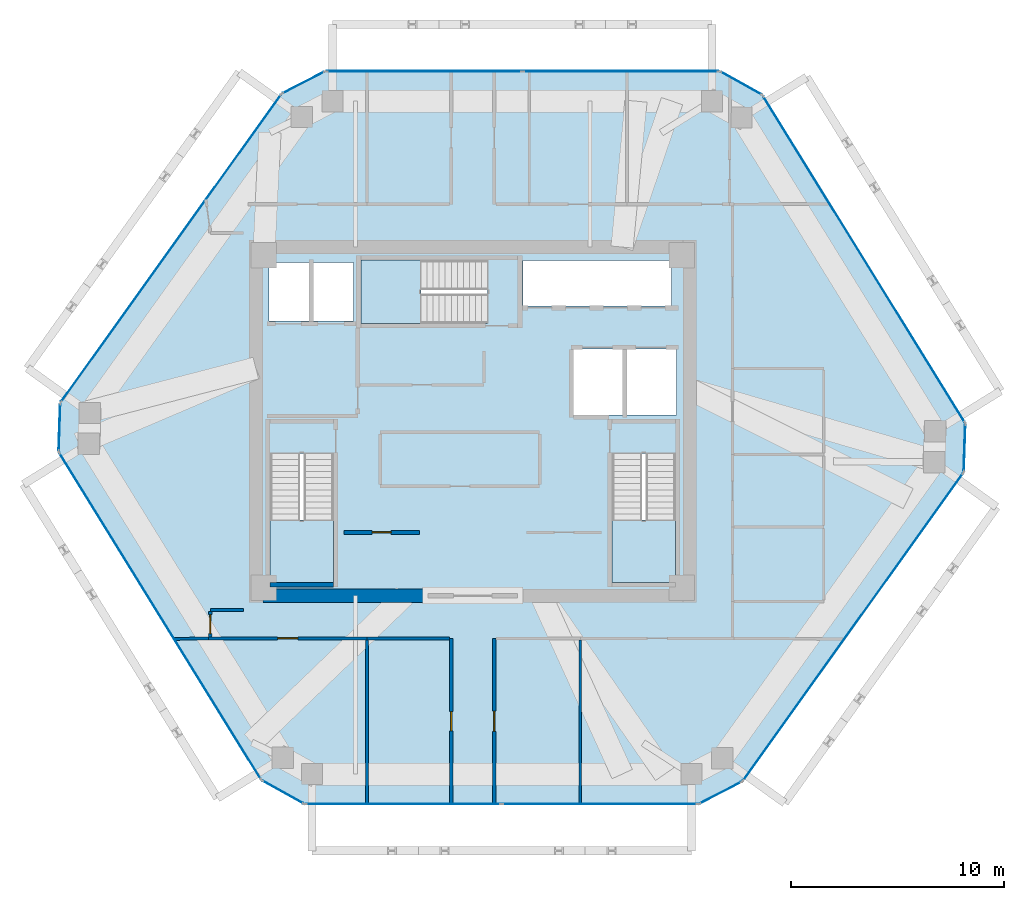
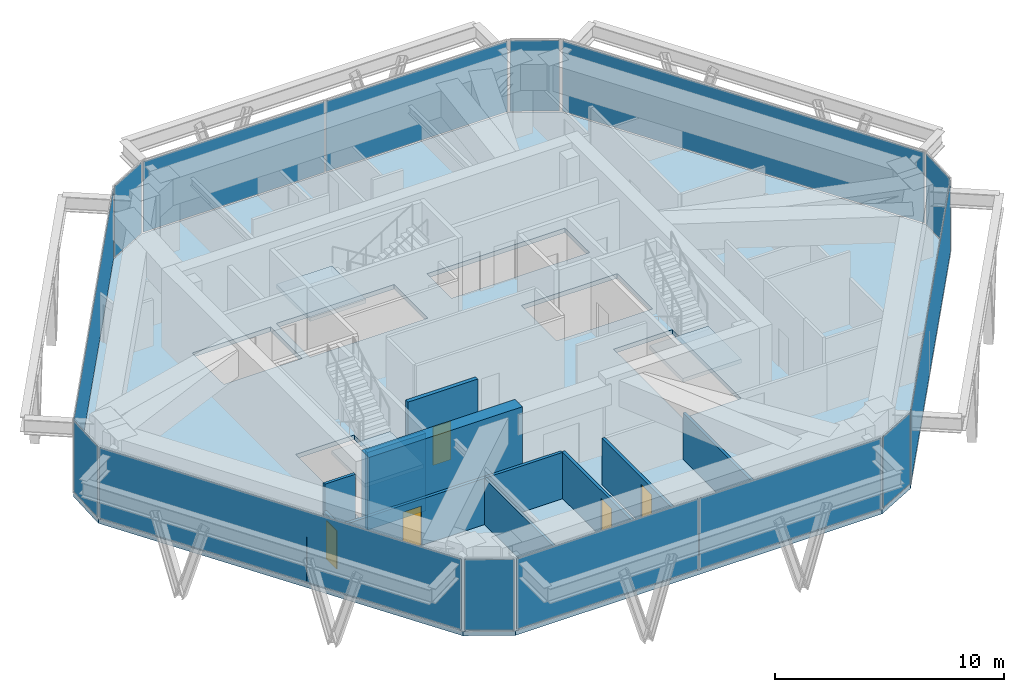
# One storey, part 7 of 11: 14 plates, 12 walls, 5 doors, 4 slabs, 5 openings, 15 elements without a shape of their own.
"""IFC4 building model written with IfcOpenShell, lengths in metres."""

from ifc_helpers import new_model, si_unit, direction, frame, frame_2d, origin, origin_2d, place, context, subcontext, project, spatial, polyline, rectangle, outline, extrude, source, transform, mapped, material, layer, layer_set, type_object, type_shapes, element, fill, aggregate, save


model = new_model("IFC4")

# Units and contexts
model_context = context("Model", 3, precision=1e-05, world=origin(), true_north=direction((0.0, 1.0)))
body_context = subcontext(model_context, "Body", "Model", "MODEL_VIEW")
ifc_project = project(units=[si_unit("LENGTHUNIT", "METRE"), si_unit("AREAUNIT", "SQUARE_METRE"), si_unit("VOLUMEUNIT", "CUBIC_METRE"), si_unit("PLANEANGLEUNIT", "RADIAN"), si_unit("MASSUNIT", "GRAM", prefix="KILO")], contexts=[model_context])

# Site, building, storey
site_placement = place(None, origin())
site = spatial("IfcSite", under=ifc_project, at=site_placement, CompositionType="ELEMENT")
building_placement = place(site_placement, origin())
building = spatial("IfcBuilding", under=site, at=building_placement, Name="Durnholm Broadcast Tower", CompositionType="ELEMENT")
storey_placement = place(building_placement, frame((0.0, 0.0, 209.199951171875)))
storey = spatial("IfcBuildingStorey", under=building, at=storey_placement, Name="L58", CompositionType="ELEMENT", Elevation=209.199951171875)

# Slab
ifc_material_1 = material(Name="Concrete C50/60", Category="concrete")
ifc_layer_1 = layer(ifc_material_1, 0.239990234375)
ifc_layer_set_1 = layer_set([ifc_layer_1], Name="Concrete C50/60")
slab_type_1 = type_object("IfcSlabType", Name="SLAB-FLR-240", PredefinedType="FLOOR", material=ifc_layer_set_1)
slab_1_placement = place(storey_placement, frame((0.0, 0.0, -0.239990234375)))
element("IfcSlab", 1, at=slab_1_placement, inside=storey, type_object=slab_type_1, Name="L58 structural floor slab", PredefinedType="FLOOR", context=body_context, shape_type="SweptSolid", body=[
    extrude(outline(polyline([(-9.912353515625, -16.822021484375), (-7.9033203125, -17.94189453125), (10.59521484375, -17.94189453125), (12.64111328125, -16.890625), (23.022705078125, -2.390380859375), (23.1005859375, -0.091552734375), (13.59033203125, 15.2978515625), (11.581298828125, 16.41796875), (-6.917236328125, 16.41796875), (-8.962890625, 15.36669921875), (-19.3447265625, 0.8662109375), (-19.422607421875, -1.432373046875), (-9.912353515625, -16.822021484375)]), holes=[polyline([(-6.5400390625, -1.5), (-9.5, -1.5), (-9.5, -7.550048828125), (-6.5400390625, -7.550048828125), (-6.5400390625, -1.5)]), polyline([(9.5, -7.550048828125), (9.5, -1.5), (6.5400390625, -1.5), (6.5400390625, -7.550048828125), (9.5, -7.550048828125)]), polyline([(9.550048828125, 3.39990234375), (4.699951171875, 3.39990234375), (4.699951171875, 0.300048828125), (9.550048828125, 0.300048828125), (9.550048828125, 3.39990234375)]), polyline([(-9.550048828125, 7.449951171875), (-9.550048828125, 4.699951171875), (-5.60009765625, 4.699951171875), (-5.60009765625, 7.449951171875), (-9.550048828125, 7.449951171875)]), polyline([(-5.25, 4.60009765625), (0.699951171875, 4.60009765625), (0.699951171875, 7.56005859375), (-5.25, 7.56005859375), (-5.25, 4.60009765625)]), polyline([(9.31005859375, 7.550048828125), (2.35009765625, 7.550048828125), (2.35009765625, 5.39990234375), (9.31005859375, 5.39990234375), (9.31005859375, 7.550048828125)])]), origin(), (0.0, 0.0, 1.0), 0.239990234375),
])

# Stair, slab
stair_type = type_object("IfcStairType", Name="STAIR-DL-24R1750", PredefinedType="HALF_TURN_STAIR", material=ifc_material_1)
stair_1_placement = place(storey_placement, origin())
stair_1 = element("IfcStair", 2, at=stair_1_placement, inside=storey, type_object=stair_type, Name="L58 ST-1", PredefinedType="HALF_TURN_STAIR")
ifc_layer_2 = layer(ifc_material_1, 0.199951171875)
ifc_layer_set_2 = layer_set([ifc_layer_2], Name="Concrete C50/60")
slab_type_2 = type_object("IfcSlabType", Name="SLAB-LND-200", PredefinedType="LANDING", material=ifc_layer_set_2)
slab_2_placement = place(storey_placement, frame((0.0, 0.0, 1.900146484375)))
slab_2 = element("IfcSlab", 3, at=slab_2_placement, type_object=slab_type_2, Name="ST-1 landing 1", PredefinedType="LANDING", context=body_context, shape_type="SweptSolid", body=[
    extrude(outline(polyline([(-9.5, -4.635009765625), (-9.5, -7.550048828125), (-6.5400390625, -7.550048828125), (-6.5400390625, -4.635009765625), (-9.5, -4.635009765625)])), origin(), (0.0, 0.0, 1.0), 0.199951171875),
])
aggregate(stair_1, [slab_2])

stair_2_placement = place(storey_placement, origin())
stair_2 = element("IfcStair", 4, at=stair_2_placement, inside=storey, type_object=stair_type, Name="L58 ST-2", PredefinedType="HALF_TURN_STAIR")
slab_3_placement = place(storey_placement, frame((0.0, 0.0, 1.900146484375)))
slab_3 = element("IfcSlab", 5, at=slab_3_placement, type_object=slab_type_2, Name="ST-2 landing 1", PredefinedType="LANDING", context=body_context, shape_type="SweptSolid", body=[
    extrude(outline(polyline([(6.5400390625, -4.635009765625), (6.5400390625, -7.550048828125), (9.5, -7.550048828125), (9.5, -4.635009765625), (6.5400390625, -4.635009765625)])), origin(), (0.0, 0.0, 1.0), 0.199951171875),
])
aggregate(stair_2, [slab_3])

stair_3_placement = place(storey_placement, origin())
stair_3 = element("IfcStair", 6, at=stair_3_placement, inside=storey, type_object=stair_type, Name="L58 ST-3", PredefinedType="HALF_TURN_STAIR")
slab_4_placement = place(storey_placement, frame((0.0, 0.0, 1.900146484375)))
slab_4 = element("IfcSlab", 7, at=slab_4_placement, type_object=slab_type_2, Name="ST-3 landing 1", PredefinedType="LANDING", context=body_context, shape_type="SweptSolid", body=[
    extrude(outline(polyline([(-2.43505859375, 7.56005859375), (-5.25, 7.56005859375), (-5.25, 4.60009765625), (-2.43505859375, 4.60009765625), (-2.43505859375, 7.56005859375)])), origin(), (0.0, 0.0, 1.0), 0.199951171875),
])
aggregate(stair_3, [slab_4])

# Curtain wall, plate
ifc_material_2 = material(Name="Aluminium and Solar Control IGU", Category="aluminium")
ifc_layer_3 = layer(ifc_material_2, 0.1650390625)
ifc_layer_set_3 = layer_set([ifc_layer_3], Name="Aluminium and Solar Control IGU")
curtain_wall_type_1 = type_object("IfcCurtainWallType", Name="CW-SYS-5", PredefinedType="NOTDEFINED", material=ifc_layer_set_3)
curtain_wall_1_placement = place(storey_placement, origin())
curtain_wall_1 = element("IfcCurtainWall", 8, at=curtain_wall_1_placement, inside=storey, type_object=curtain_wall_type_1, Name="L58 curtain wall CW-CORNER CW-L58-CRN-01", PredefinedType="NOTDEFINED")
ifc_material_3 = material(Name="Low-E Laminated Insulating Glass", Category="glass")
ifc_layer_4 = layer(ifc_material_3, 0.030029296875)
ifc_layer_set_4 = layer_set([ifc_layer_4], Name="Low-E Laminated Insulating Glass")
plate_type_1 = type_object("IfcPlateType", Name="CW-SYS-5-PNL", PredefinedType="CURTAIN_PANEL", material=ifc_layer_set_4)
shared_shape_1 = source(origin(), body_context, "Body", "SweptSolid", [
    extrude(rectangle(XDim=2.169921875, YDim=0.030029296875, at=origin_2d()), origin(), (0.0, 0.0, 1.0), 3.77001953125),
])
plate_1_placement = place(storey_placement, frame((-19.3837890625, -0.282958984375, 0.06494140625), z_axis=(0.0, 0.0, 1.0), x_axis=(0.033912704699, 0.999424798802, 0.0)))
plate_1 = element("IfcPlate", 9, at=plate_1_placement, type_object=plate_type_1, Name="CW-CORNER panel 1.1", PredefinedType="CURTAIN_PANEL", context=body_context, shape_type="MappedRepresentation", body=[
    mapped(shared_shape_1, transform((0.0, 0.0, 0.0), x_axis=(1.0, 0.0, 0.0), y_axis=(0.0, 1.0, 0.0), z_axis=(0.0, 0.0, 1.0), scale=1.0)),
])
aggregate(curtain_wall_1, [plate_1])

curtain_wall_2_placement = place(storey_placement, origin())
curtain_wall_2 = element("IfcCurtainWall", 10, at=curtain_wall_2_placement, inside=storey, type_object=curtain_wall_type_1, Name="L58 curtain wall CW-CORNER CW-L58-CRN-03", PredefinedType="NOTDEFINED")
plate_2_placement = place(storey_placement, frame((-7.940185546875, 15.892333984375, 0.06494140625), z_axis=(0.0, 0.0, 1.0), x_axis=(0.889424679545, 0.457081764476, 0.0)))
plate_2 = element("IfcPlate", 11, at=plate_2_placement, type_object=plate_type_1, Name="CW-CORNER panel 1.1", PredefinedType="CURTAIN_PANEL", context=body_context, shape_type="MappedRepresentation", body=[
    mapped(shared_shape_1, transform((0.0, 0.0, 0.0), x_axis=(1.0, 0.0, 0.0), y_axis=(0.0, 1.0, 0.0), z_axis=(0.0, 0.0, 1.0), scale=1.0)),
])
aggregate(curtain_wall_2, [plate_2])

curtain_wall_3_placement = place(storey_placement, origin())
curtain_wall_3 = element("IfcCurtainWall", 12, at=curtain_wall_3_placement, inside=storey, type_object=curtain_wall_type_1, Name="L58 curtain wall CW-CORNER CW-L58-CRN-07", PredefinedType="NOTDEFINED")
plate_3_placement = place(storey_placement, frame((23.061767578125, -1.240966796875, 0.06494140625), z_axis=(0.0, 0.0, 1.0), x_axis=(-0.033912704699, -0.999424798802, 0.0)))
plate_3 = element("IfcPlate", 13, at=plate_3_placement, type_object=plate_type_1, Name="CW-CORNER panel 1.1", PredefinedType="CURTAIN_PANEL", context=body_context, shape_type="MappedRepresentation", body=[
    mapped(shared_shape_1, transform((0.0, 0.0, 0.0), x_axis=(1.0, 0.0, 0.0), y_axis=(0.0, 1.0, 0.0), z_axis=(0.0, 0.0, 1.0), scale=1.0)),
])
aggregate(curtain_wall_3, [plate_3])

curtain_wall_4_placement = place(storey_placement, origin())
curtain_wall_4 = element("IfcCurtainWall", 14, at=curtain_wall_4_placement, inside=storey, type_object=curtain_wall_type_1, Name="L58 curtain wall CW-CORNER CW-L58-CRN-09", PredefinedType="NOTDEFINED")
plate_4_placement = place(storey_placement, frame((11.6181640625, -17.416259765625, 0.06494140625), z_axis=(0.0, 0.0, 1.0), x_axis=(-0.889424679545, -0.457081764476, 0.0)))
plate_4 = element("IfcPlate", 15, at=plate_4_placement, type_object=plate_type_1, Name="CW-CORNER panel 1.1", PredefinedType="CURTAIN_PANEL", context=body_context, shape_type="MappedRepresentation", body=[
    mapped(shared_shape_1, transform((0.0, 0.0, 0.0), x_axis=(1.0, 0.0, 0.0), y_axis=(0.0, 1.0, 0.0), z_axis=(0.0, 0.0, 1.0), scale=1.0)),
])
aggregate(curtain_wall_4, [plate_4])

ifc_layer_5 = layer(ifc_material_2, 0.18994140625)
ifc_layer_set_5 = layer_set([ifc_layer_5], Name="Aluminium and Solar Control IGU")
curtain_wall_type_2 = type_object("IfcCurtainWallType", Name="CW-SYS-4", PredefinedType="NOTDEFINED", material=ifc_layer_set_5)
curtain_wall_5_placement = place(storey_placement, origin())
curtain_wall_5 = element("IfcCurtainWall", 16, at=curtain_wall_5_placement, inside=storey, type_object=curtain_wall_type_2, Name="L58 curtain wall CW-Z34-VIS CW-L58-F02", PredefinedType="NOTDEFINED")
ifc_layer_6 = layer(ifc_material_3, 0.033935546875)
ifc_layer_set_6 = layer_set([ifc_layer_6], Name="Low-E Laminated Insulating Glass")
plate_type_2 = type_object("IfcPlateType", Name="CW-SYS-4-PNL", PredefinedType="CURTAIN_PANEL", material=ifc_layer_set_6)
shared_shape_2 = source(origin(), body_context, "Body", "SweptSolid", [
    extrude(rectangle(XDim=17.693603515625, YDim=0.033935546875, at=origin_2d()), origin(), (0.0, 0.0, 1.0), 3.760009765625),
])
plate_5_placement = place(storey_placement, frame((-14.15380859375, 8.116455078125, 0.06982421875), z_axis=(0.0, 0.0, 1.0), x_axis=(0.582139030549, 0.813089262696, 0.0)))
plate_5 = element("IfcPlate", 17, at=plate_5_placement, type_object=plate_type_2, Name="CW-Z34-VIS panel 1.1", PredefinedType="CURTAIN_PANEL", context=body_context, shape_type="MappedRepresentation", body=[
    mapped(shared_shape_2, transform((0.0, 0.0, 0.0), x_axis=(1.0, 0.0, 0.0), y_axis=(0.0, 1.0, 0.0), z_axis=(0.0, 0.0, 1.0), scale=1.0)),
])
aggregate(curtain_wall_5, [plate_5])

curtain_wall_6_placement = place(storey_placement, origin())
curtain_wall_6 = element("IfcCurtainWall", 18, at=curtain_wall_6_placement, inside=storey, type_object=curtain_wall_type_2, Name="L58 curtain wall CW-Z34-VIS CW-L58-F08", PredefinedType="NOTDEFINED")
plate_6_placement = place(storey_placement, frame((17.831787109375, -9.640380859375, 0.06982421875), z_axis=(0.0, 0.0, 1.0), x_axis=(-0.582139030549, -0.813089262696, 0.0)))
plate_6 = element("IfcPlate", 19, at=plate_6_placement, type_object=plate_type_2, Name="CW-Z34-VIS panel 1.1", PredefinedType="CURTAIN_PANEL", context=body_context, shape_type="MappedRepresentation", body=[
    mapped(shared_shape_2, transform((0.0, 0.0, 0.0), x_axis=(1.0, 0.0, 0.0), y_axis=(0.0, 1.0, 0.0), z_axis=(0.0, 0.0, 1.0), scale=1.0)),
])
aggregate(curtain_wall_6, [plate_6])

# Curtain wall, plates
curtain_wall_7_placement = place(storey_placement, origin())
curtain_wall_7 = element("IfcCurtainWall", 20, at=curtain_wall_7_placement, inside=storey, type_object=curtain_wall_type_2, Name="L58 curtain wall CW-Z34-VIS CW-L58-F04", PredefinedType="NOTDEFINED")
shared_shape_3 = source(origin(), body_context, "Body", "SweptSolid", [
    extrude(rectangle(XDim=9.144287109375, YDim=0.033935546875, at=origin_2d()), origin(), (0.0, 0.0, 1.0), 3.760009765625),
])
plate_7_placement = place(storey_placement, frame((-2.275146484375, 16.41796875, 0.06982421875), z_axis=(0.0, 0.0, 1.0), x_axis=(1.0, 0.0, 0.0)))
plate_7 = element("IfcPlate", 21, at=plate_7_placement, type_object=plate_type_2, Name="CW-Z34-VIS panel 1.1", PredefinedType="CURTAIN_PANEL", context=body_context, shape_type="MappedRepresentation", body=[
    mapped(shared_shape_3, transform((0.0, 0.0, 0.0), x_axis=(1.0, 0.0, 0.0), y_axis=(0.0, 1.0, 0.0), z_axis=(0.0, 0.0, 1.0), scale=1.0)),
])
plate_8_placement = place(storey_placement, frame((6.939208984375, 16.41796875, 0.06982421875), z_axis=(0.0, 0.0, 1.0), x_axis=(1.0, 0.0, 0.0)))
plate_8 = element("IfcPlate", 22, at=plate_8_placement, type_object=plate_type_2, Name="CW-Z34-VIS panel 2.1", PredefinedType="CURTAIN_PANEL", context=body_context, shape_type="MappedRepresentation", body=[
    mapped(shared_shape_3, transform((0.0, 0.0, 0.0), x_axis=(1.0, 0.0, 0.0), y_axis=(0.0, 1.0, 0.0), z_axis=(0.0, 0.0, 1.0), scale=1.0)),
])
aggregate(curtain_wall_7, [plate_7, plate_8])

curtain_wall_8_placement = place(storey_placement, origin())
curtain_wall_8 = element("IfcCurtainWall", 23, at=curtain_wall_8_placement, inside=storey, type_object=curtain_wall_type_2, Name="L58 curtain wall CW-Z34-VIS CW-L58-F10", PredefinedType="NOTDEFINED")
plate_9_placement = place(storey_placement, frame((5.953125, -17.94189453125, 0.06982421875), z_axis=(0.0, 0.0, 1.0), x_axis=(-1.0, 0.0, 0.0)))
plate_9 = element("IfcPlate", 24, at=plate_9_placement, type_object=plate_type_2, Name="CW-Z34-VIS panel 1.1", PredefinedType="CURTAIN_PANEL", context=body_context, shape_type="MappedRepresentation", body=[
    mapped(shared_shape_3, transform((0.0, 0.0, 0.0), x_axis=(1.0, 0.0, 0.0), y_axis=(0.0, 1.0, 0.0), z_axis=(0.0, 0.0, 1.0), scale=1.0)),
])
plate_10_placement = place(storey_placement, frame((-3.26123046875, -17.94189453125, 0.06982421875), z_axis=(0.0, 0.0, 1.0), x_axis=(-1.0, 0.0, 0.0)))
plate_10 = element("IfcPlate", 25, at=plate_10_placement, type_object=plate_type_2, Name="CW-Z34-VIS panel 2.1", PredefinedType="CURTAIN_PANEL", context=body_context, shape_type="MappedRepresentation", body=[
    mapped(shared_shape_3, transform((0.0, 0.0, 0.0), x_axis=(1.0, 0.0, 0.0), y_axis=(0.0, 1.0, 0.0), z_axis=(0.0, 0.0, 1.0), scale=1.0)),
])
aggregate(curtain_wall_8, [plate_9, plate_10])

# Curtain wall, plate
curtain_wall_9_placement = place(storey_placement, origin())
curtain_wall_9 = element("IfcCurtainWall", 26, at=curtain_wall_9_placement, inside=storey, type_object=curtain_wall_type_1, Name="L58 curtain wall CW-CORNER CW-L58-CRN-05", PredefinedType="NOTDEFINED")
shared_shape_4 = source(origin(), body_context, "Body", "SweptSolid", [
    extrude(rectangle(XDim=2.170166015625, YDim=0.030029296875, at=origin_2d()), origin(), (0.0, 0.0, 1.0), 3.77001953125),
])
type_shapes(plate_type_1, [shared_shape_1, shared_shape_4])
plate_11_placement = place(storey_placement, frame((12.5859375, 15.85791015625, 0.06494140625), z_axis=(0.0, 0.0, 1.0), x_axis=(0.873409751271, -0.486986043316, 0.0)))
plate_11 = element("IfcPlate", 27, at=plate_11_placement, type_object=plate_type_1, Name="CW-CORNER panel 1.1", PredefinedType="CURTAIN_PANEL", context=body_context, shape_type="MappedRepresentation", body=[
    mapped(shared_shape_4, transform((0.0, 0.0, 0.0), x_axis=(1.0, 0.0, 0.0), y_axis=(0.0, 1.0, 0.0), z_axis=(0.0, 0.0, 1.0), scale=1.0)),
])
aggregate(curtain_wall_9, [plate_11])

curtain_wall_10_placement = place(storey_placement, origin())
curtain_wall_10 = element("IfcCurtainWall", 28, at=curtain_wall_10_placement, inside=storey, type_object=curtain_wall_type_1, Name="L58 curtain wall CW-CORNER CW-L58-CRN-11", PredefinedType="NOTDEFINED")
plate_12_placement = place(storey_placement, frame((-8.907958984375, -17.3818359375, 0.06494140625), z_axis=(0.0, 0.0, 1.0), x_axis=(-0.873409751271, 0.486986043316, 0.0)))
plate_12 = element("IfcPlate", 29, at=plate_12_placement, type_object=plate_type_1, Name="CW-CORNER panel 1.1", PredefinedType="CURTAIN_PANEL", context=body_context, shape_type="MappedRepresentation", body=[
    mapped(shared_shape_4, transform((0.0, 0.0, 0.0), x_axis=(1.0, 0.0, 0.0), y_axis=(0.0, 1.0, 0.0), z_axis=(0.0, 0.0, 1.0), scale=1.0)),
])
aggregate(curtain_wall_10, [plate_12])

curtain_wall_11_placement = place(storey_placement, origin())
curtain_wall_11 = element("IfcCurtainWall", 30, at=curtain_wall_11_placement, inside=storey, type_object=curtain_wall_type_2, Name="L58 curtain wall CW-Z34-VIS CW-L58-F06", PredefinedType="NOTDEFINED")
shared_shape_5 = source(origin(), body_context, "Body", "SweptSolid", [
    extrude(rectangle(XDim=17.950927734375, YDim=0.033935546875, at=origin_2d()), origin(), (0.0, 0.0, 1.0), 3.760009765625),
])
type_shapes(plate_type_2, [shared_shape_2, shared_shape_3, shared_shape_5])
plate_13_placement = place(storey_placement, frame((18.345458984375, 7.603271484375, 0.06982421875), z_axis=(0.0, 0.0, 1.0), x_axis=(0.525697750452, -0.850671426092, 0.0)))
plate_13 = element("IfcPlate", 31, at=plate_13_placement, type_object=plate_type_2, Name="CW-Z34-VIS panel 1.1", PredefinedType="CURTAIN_PANEL", context=body_context, shape_type="MappedRepresentation", body=[
    mapped(shared_shape_5, transform((0.0, 0.0, 0.0), x_axis=(1.0, 0.0, 0.0), y_axis=(0.0, 1.0, 0.0), z_axis=(0.0, 0.0, 1.0), scale=1.0)),
])
aggregate(curtain_wall_11, [plate_13])

curtain_wall_12_placement = place(storey_placement, origin())
curtain_wall_12 = element("IfcCurtainWall", 32, at=curtain_wall_12_placement, inside=storey, type_object=curtain_wall_type_2, Name="L58 curtain wall CW-Z34-VIS CW-L58-F12", PredefinedType="NOTDEFINED")
plate_14_placement = place(storey_placement, frame((-14.66748046875, -9.127197265625, 0.06982421875), z_axis=(0.0, 0.0, 1.0), x_axis=(-0.525697750452, 0.850671426092, 0.0)))
plate_14 = element("IfcPlate", 33, at=plate_14_placement, type_object=plate_type_2, Name="CW-Z34-VIS panel 1.1", PredefinedType="CURTAIN_PANEL", context=body_context, shape_type="MappedRepresentation", body=[
    mapped(shared_shape_5, transform((0.0, 0.0, 0.0), x_axis=(1.0, 0.0, 0.0), y_axis=(0.0, 1.0, 0.0), z_axis=(0.0, 0.0, 1.0), scale=1.0)),
])
aggregate(curtain_wall_12, [plate_14])

# Wall
ifc_material_4 = material(Name="Concrete C70/85", Category="concrete")
ifc_layer_7 = layer(ifc_material_4, 0.64990234375)
ifc_layer_set_7 = layer_set([ifc_layer_7], Name="Concrete C70/85")
wall_type_1 = type_object("IfcWallType", Name="WALL-CW-650", PredefinedType="SHEAR", material=ifc_layer_set_7)
wall_1_placement = place(storey_placement, frame((-9.85009765625, -8.175048828125, 0.0), z_axis=(0.0, 0.0, 1.0), x_axis=(1.0, 0.0, 0.0)))
element("IfcWall", 34, at=wall_1_placement, inside=storey, type_object=wall_type_1, Name="L58 central core shear wall CW-S1", PredefinedType="SHEAR", context=body_context, shape_type="SweptSolid", body=[
    extrude(rectangle(XDim=7.75, YDim=0.64990234375, at=frame_2d((3.875, 0.0))), origin(), (0.0, 0.0, 1.0), 4.199951171875),
])

# Wall, opening, door
ifc_material_5 = material(Name="Fire-Rated Gypsum Shaftwall", Category="concrete")
ifc_layer_8 = layer(ifc_material_5, 0.199951171875)
ifc_layer_set_8 = layer_set([ifc_layer_8], Name="Fire-Rated Gypsum Shaftwall")
wall_type_2 = type_object("IfcWallType", Name="WALL-LOB-200", PredefinedType="SOLIDWALL", material=ifc_layer_set_8)
wall_2_placement = place(storey_placement, frame((-6.0400390625, -5.2099609375, 0.0), z_axis=(0.0, 0.0, 1.0), x_axis=(1.0, 0.0, 0.0)))
wall_2 = element("IfcWall", 35, at=wall_2_placement, inside=storey, type_object=wall_type_2, Name="L58 Broadcast Signal Rack Room corridor partition", PredefinedType="SOLIDWALL", context=body_context, shape_type="SweptSolid", body=[
    extrude(rectangle(XDim=3.530029296875, YDim=0.199951171875, at=frame_2d((1.76513671875, 0.0))), origin(), (0.0, 0.0, 1.0), 3.885009765625),
])
opening_1_placement = place(wall_2_placement, frame((1.31494140625, 0.0, 0.0)))
opening_1 = element("IfcOpeningElement", 36, at=opening_1_placement, cuts=wall_2, Name="Opening DC-60R", PredefinedType="OPENING", context=body_context, shape_type="SweptSolid", body=[
    extrude(rectangle(XDim=0.89990234375, YDim=2.050048828125, at=frame_2d((0.449951171875, 1.02490234375))), frame((0.0, 0.10986328125, 0.0), z_axis=(0.0, -1.0, 0.0), x_axis=(1.0, 0.0, 0.0)), (0.0, 0.0, 1.0), 0.219970703125),
])
ifc_material_6 = material(Name="Fire-Rated Core Service Door", Category="steel")
ifc_layer_9 = layer(ifc_material_6, 0.050048828125)
ifc_layer_set_9 = layer_set([ifc_layer_9], Name="Fire-Rated Core Service Door")
door_type_1 = type_object("IfcDoorType", Name="DOOR-CORE-FD60-R", OperationType="NOTDEFINED", PredefinedType="DOOR", material=ifc_layer_set_9)
shared_shape_6 = source(origin(), body_context, "Body", "SweptSolid", [
    extrude(rectangle(XDim=0.89990234375, YDim=2.050048828125, at=frame_2d((0.449951171875, 1.02490234375))), frame((0.0, 0.02490234375, 0.0), z_axis=(0.0, -1.0, 0.0), x_axis=(1.0, 0.0, 0.0)), (0.0, 0.0, 1.0), 0.050048828125),
])
type_shapes(door_type_1, [shared_shape_6])
door_1_placement = place(opening_1_placement, origin())
door_1 = element("IfcDoor", 37, at=door_1_placement, inside=storey, type_object=door_type_1, Name="L58 Broadcast Signal Rack Room entrance door", OperationType="SINGLE_SWING_RIGHT", OverallHeight=2.050048828125, OverallWidth=0.89990234375, PredefinedType="DOOR", context=body_context, shape_type="MappedRepresentation", body=[
    mapped(shared_shape_6, transform((0.0, 0.0, 0.0), x_axis=(1.0, 0.0, 0.0), y_axis=(0.0, 1.0, 0.0), z_axis=(0.0, 0.0, 1.0), scale=1.0)),
])
fill(opening_1, door_1)

# Walls
ifc_material_7 = material(Name="Gypsum Metal Stud Partition", Category="concrete")
ifc_layer_10 = layer(ifc_material_7, 0.135009765625)
ifc_layer_set_10 = layer_set([ifc_layer_10], Name="Gypsum Metal Stud Partition")
wall_type_3 = type_object("IfcWallType", Name="WALL-PART-135", PredefinedType="PARTITIONING", material=ifc_layer_set_10)
wall_3_placement = place(storey_placement, frame((-4.9599609375, -10.259033203125, 0.0), z_axis=(0.0, 0.0, 1.0), x_axis=(0.0, -1.0, 0.0)))
element("IfcWall", 38, at=wall_3_placement, inside=storey, type_object=wall_type_3, Name="L58 room dividing partition 14.15", PredefinedType="PARTITIONING", context=body_context, shape_type="SweptSolid", body=[
    extrude(rectangle(XDim=7.682861328125, YDim=0.135009765625, at=frame_2d((3.84130859375, 0.0))), origin(), (0.0, 0.0, 1.0), 2.469970703125),
])
wall_4_placement = place(storey_placement, frame((-14.00390625, -10.200927734375, 0.0), z_axis=(0.0, 0.0, 1.0), x_axis=(0.999923084603, 0.012402615782, 0.0)))
element("IfcWall", 39, at=wall_4_placement, inside=storey, type_object=wall_type_3, Name="L58 room dividing partition 14.18", PredefinedType="PARTITIONING", context=body_context, shape_type="SweptSolid", body=[
    extrude(rectangle(XDim=1.6142578125, YDim=0.135009765625, at=frame_2d((0.80712890625, 0.0))), origin(), (0.0, 0.0, 1.0), 2.469970703125),
])
wall_5_placement = place(storey_placement, frame((5.0400390625, -10.259033203125, 0.0), z_axis=(0.0, 0.0, 1.0), x_axis=(0.0, -1.0, 0.0)))
element("IfcWall", 40, at=wall_5_placement, inside=storey, type_object=wall_type_3, Name="L58 room dividing partition 16.17", PredefinedType="PARTITIONING", context=body_context, shape_type="SweptSolid", body=[
    extrude(rectangle(XDim=7.682861328125, YDim=0.135009765625, at=frame_2d((3.84130859375, 0.0))), origin(), (0.0, 0.0, 1.0), 2.469970703125),
])

# Wall, opening, door
ifc_material_8 = material(Name="Acoustic Gypsum Stud Partition", Category="concrete")
ifc_layer_11 = layer(ifc_material_8, 0.14990234375)
ifc_layer_set_11 = layer_set([ifc_layer_11], Name="Acoustic Gypsum Stud Partition")
wall_type_4 = type_object("IfcWallType", Name="WALL-PART-150", PredefinedType="PARTITIONING", material=ifc_layer_set_11)
wall_6_placement = place(storey_placement, frame((-12.389892578125, -10.179931640625, 0.0), z_axis=(0.0, 0.0, 1.0), x_axis=(1.0, 0.0, 0.0)))
wall_6 = element("IfcWall", 41, at=wall_6_placement, inside=storey, type_object=wall_type_4, Name="L58 Open Plan Broadcast Workspace 2 corridor partition", PredefinedType="PARTITIONING", context=body_context, shape_type="SweptSolid", body=[
    extrude(rectangle(XDim=7.429931640625, YDim=0.14990234375, at=frame_2d((3.71484375, 0.0))), origin(), (0.0, 0.0, 1.0), 2.469970703125),
])
opening_2_placement = place(wall_6_placement, frame((3.239990234375, 0.0, 0.0)))
opening_2 = element("IfcOpeningElement", 42, at=opening_2_placement, cuts=wall_6, Name="Opening DR-95L", PredefinedType="OPENING", context=body_context, shape_type="SweptSolid", body=[
    extrude(rectangle(XDim=0.949951171875, YDim=2.10009765625, at=frame_2d((0.47509765625, 1.050048828125))), frame((0.0, 0.0849609375, 0.0), z_axis=(0.0, -1.0, 0.0), x_axis=(1.0, 0.0, 0.0)), (0.0, 0.0, 1.0), 0.169921875),
])
ifc_material_9 = material(Name="Acoustic Oak Veneer Timber Door", Category="wood")
ifc_layer_12 = layer(ifc_material_9, 0.050048828125)
ifc_layer_set_12 = layer_set([ifc_layer_12], Name="Acoustic Oak Veneer Timber Door")
door_type_2 = type_object("IfcDoorType", Name="DOOR-RM-950L", OperationType="NOTDEFINED", PredefinedType="DOOR", material=ifc_layer_set_12)
shared_shape_7 = source(origin(), body_context, "Body", "SweptSolid", [
    extrude(rectangle(XDim=0.949951171875, YDim=2.10009765625, at=frame_2d((0.47509765625, 1.050048828125))), frame((0.0, 0.02490234375, 0.0), z_axis=(0.0, -1.0, 0.0), x_axis=(1.0, 0.0, 0.0)), (0.0, 0.0, 1.0), 0.050048828125),
])
type_shapes(door_type_2, [shared_shape_7])
door_2_placement = place(opening_2_placement, origin())
door_2 = element("IfcDoor", 43, at=door_2_placement, inside=storey, type_object=door_type_2, Name="L58 Open Plan Broadcast Workspace 2 entrance door", OperationType="SINGLE_SWING_LEFT", OverallHeight=2.10009765625, OverallWidth=0.949951171875, PredefinedType="DOOR", context=body_context, shape_type="MappedRepresentation", body=[
    mapped(shared_shape_7, transform((0.0, 0.0, 0.0), x_axis=(1.0, 0.0, 0.0), y_axis=(0.0, 1.0, 0.0), z_axis=(0.0, 0.0, 1.0), scale=1.0)),
])
fill(opening_2, door_2)

wall_7_placement = place(storey_placement, frame((-1.010009765625, -10.179931640625, 0.0), z_axis=(0.0, 0.0, 1.0), x_axis=(0.0, -1.0, 0.0)))
wall_7 = element("IfcWall", 44, at=wall_7_placement, inside=storey, type_object=wall_type_4, Name="L58 Music Archive Office corridor partition", PredefinedType="PARTITIONING", context=body_context, shape_type="SweptSolid", body=[
    extrude(rectangle(XDim=7.761962890625, YDim=0.14990234375, at=frame_2d((3.880859375, 0.0))), origin(), (0.0, 0.0, 1.0), 2.469970703125),
])
opening_3_placement = place(wall_7_placement, frame((3.430908203125, 0.0, 0.0)))
opening_3 = element("IfcOpeningElement", 45, at=opening_3_placement, cuts=wall_7, Name="Opening DC-60R", PredefinedType="OPENING", context=body_context, shape_type="SweptSolid", body=[
    extrude(rectangle(XDim=0.89990234375, YDim=2.050048828125, at=frame_2d((0.449951171875, 1.02490234375))), frame((0.0, 0.0849609375, 0.0), z_axis=(0.0, -1.0, 0.0), x_axis=(1.0, 0.0, 0.0)), (0.0, 0.0, 1.0), 0.169921875),
])
door_3_placement = place(opening_3_placement, origin())
door_3 = element("IfcDoor", 46, at=door_3_placement, inside=storey, type_object=door_type_1, Name="L58 Music Archive Office entrance door", OperationType="SINGLE_SWING_RIGHT", OverallHeight=2.050048828125, OverallWidth=0.89990234375, PredefinedType="DOOR", context=body_context, shape_type="MappedRepresentation", body=[
    mapped(shared_shape_6, transform((0.0, 0.0, 0.0), x_axis=(1.0, 0.0, 0.0), y_axis=(0.0, 1.0, 0.0), z_axis=(0.0, 0.0, 1.0), scale=1.0)),
])
fill(opening_3, door_3)

# Wall
wall_8_placement = place(storey_placement, frame((-4.9599609375, -10.179931640625, 0.0), z_axis=(0.0, 0.0, 1.0), x_axis=(1.0, 0.0, 0.0)))
element("IfcWall", 47, at=wall_8_placement, inside=storey, type_object=wall_type_4, Name="L58 Music Archive Office corridor partition", PredefinedType="PARTITIONING", context=body_context, shape_type="SweptSolid", body=[
    extrude(rectangle(XDim=3.870849609375, YDim=0.14990234375, at=frame_2d((1.935546875, 0.0))), origin(), (0.0, 0.0, 1.0), 2.469970703125),
])

# Wall, opening, door
wall_9_placement = place(storey_placement, frame((1.010009765625, -17.94189453125, 0.0), z_axis=(0.0, 0.0, 1.0), x_axis=(0.0, 1.0, 0.0)))
wall_9 = element("IfcWall", 48, at=wall_9_placement, inside=storey, type_object=wall_type_4, Name="L58 Music Rights Office corridor partition", PredefinedType="PARTITIONING", context=body_context, shape_type="SweptSolid", body=[
    extrude(rectangle(XDim=7.761962890625, YDim=0.14990234375, at=frame_2d((3.880859375, 0.0))), origin(), (0.0, 0.0, 1.0), 2.469970703125),
])
opening_4_placement = place(wall_9_placement, frame((3.406005859375, 0.0, 0.0)))
opening_4 = element("IfcOpeningElement", 49, at=opening_4_placement, cuts=wall_9, Name="Opening DR-95L", PredefinedType="OPENING", context=body_context, shape_type="SweptSolid", body=[
    extrude(rectangle(XDim=0.949951171875, YDim=2.10009765625, at=frame_2d((0.47509765625, 1.050048828125))), frame((0.0, 0.0849609375, 0.0), z_axis=(0.0, -1.0, 0.0), x_axis=(1.0, 0.0, 0.0)), (0.0, 0.0, 1.0), 0.169921875),
])
door_4_placement = place(opening_4_placement, origin())
door_4 = element("IfcDoor", 50, at=door_4_placement, inside=storey, type_object=door_type_2, Name="L58 Music Rights Office entrance door", OperationType="SINGLE_SWING_LEFT", OverallHeight=2.10009765625, OverallWidth=0.949951171875, PredefinedType="DOOR", context=body_context, shape_type="MappedRepresentation", body=[
    mapped(shared_shape_7, transform((0.0, 0.0, 0.0), x_axis=(1.0, 0.0, 0.0), y_axis=(0.0, 1.0, 0.0), z_axis=(0.0, 0.0, 1.0), scale=1.0)),
])
fill(opening_4, door_4)

# Wall
wall_10_placement = place(storey_placement, frame((-10.760009765625, -8.840087890625, 0.0), z_axis=(0.0, 0.0, 1.0), x_axis=(-1.0, 0.0, 0.0)))
element("IfcWall", 51, at=wall_10_placement, inside=storey, type_object=wall_type_4, Name="L58 Licensing Meeting Room corridor partition", PredefinedType="PARTITIONING", context=body_context, shape_type="SweptSolid", body=[
    extrude(rectangle(XDim=1.550048828125, YDim=0.14990234375, at=frame_2d((0.77490234375, 0.0))), origin(), (0.0, 0.0, 1.0), 3.885009765625),
])

# Wall, opening, door
wall_11_placement = place(storey_placement, frame((-12.31005859375, -8.9189453125, 0.0), z_axis=(0.0, 0.0, 1.0), x_axis=(0.0, -1.0, 0.0)))
wall_11 = element("IfcWall", 52, at=wall_11_placement, inside=storey, type_object=wall_type_4, Name="L58 Licensing Meeting Room corridor partition", PredefinedType="PARTITIONING", context=body_context, shape_type="SweptSolid", body=[
    extrude(rectangle(XDim=1.18212890625, YDim=0.14990234375, at=frame_2d((0.591064453125, 0.0))), origin(), (0.0, 0.0, 1.0), 2.469970703125),
])
opening_5_placement = place(wall_11_placement, frame((0.14111328125, 0.0, 0.0)))
opening_5 = element("IfcOpeningElement", 53, at=opening_5_placement, cuts=wall_11, Name="Opening DW-90R", PredefinedType="OPENING", context=body_context, shape_type="SweptSolid", body=[
    extrude(rectangle(XDim=0.89990234375, YDim=2.050048828125, at=frame_2d((0.449951171875, 1.02490234375))), frame((0.0, 0.0849609375, 0.0), z_axis=(0.0, -1.0, 0.0), x_axis=(1.0, 0.0, 0.0)), (0.0, 0.0, 1.0), 0.169921875),
])
ifc_material_10 = material(Name="Laminate Restroom Door", Category="steel")
ifc_layer_13 = layer(ifc_material_10, 0.050048828125)
ifc_layer_set_13 = layer_set([ifc_layer_13], Name="Laminate Restroom Door")
door_type_3 = type_object("IfcDoorType", Name="DOOR-WC-900R", OperationType="NOTDEFINED", PredefinedType="DOOR", material=ifc_layer_set_13)
shared_shape_8 = source(origin(), body_context, "Body", "SweptSolid", [
    extrude(rectangle(XDim=0.89990234375, YDim=2.050048828125, at=frame_2d((0.449951171875, 1.02490234375))), frame((0.0, 0.02490234375, 0.0), z_axis=(0.0, -1.0, 0.0), x_axis=(1.0, 0.0, 0.0)), (0.0, 0.0, 1.0), 0.050048828125),
])
type_shapes(door_type_3, [shared_shape_8])
door_5_placement = place(opening_5_placement, origin())
door_5 = element("IfcDoor", 54, at=door_5_placement, inside=storey, type_object=door_type_3, Name="L58 Licensing Meeting Room entrance door", OperationType="SINGLE_SWING_RIGHT", OverallHeight=2.050048828125, OverallWidth=0.89990234375, PredefinedType="DOOR", context=body_context, shape_type="MappedRepresentation", body=[
    mapped(shared_shape_8, transform((0.0, 0.0, 0.0), x_axis=(1.0, 0.0, 0.0), y_axis=(0.0, 1.0, 0.0), z_axis=(0.0, 0.0, 1.0), scale=1.0)),
])
fill(opening_5, door_5)

# Wall
ifc_layer_14 = layer(ifc_material_1, 0.219970703125)
ifc_layer_set_14 = layer_set([ifc_layer_14], Name="Concrete C50/60")
wall_type_5 = type_object("IfcWallType", Name="WALL-SW-220", PredefinedType="SHEAR", material=ifc_layer_set_14)
wall_12_placement = place(storey_placement, frame((-9.5, -7.659912109375, -0.239990234375), z_axis=(0.0, 0.0, 1.0), x_axis=(1.0, 0.0, 0.0)))
element("IfcWall", 55, at=wall_12_placement, inside=storey, type_object=wall_type_5, Name="L58 stair ST-1 structural shaft wall S", PredefinedType="SHEAR", context=body_context, shape_type="SweptSolid", body=[
    extrude(rectangle(XDim=2.9599609375, YDim=0.219970703125, at=frame_2d((1.47998046875, 0.0))), origin(), (0.0, 0.0, 1.0), 4.14013671875),
])

save(model, "model.ifc")
